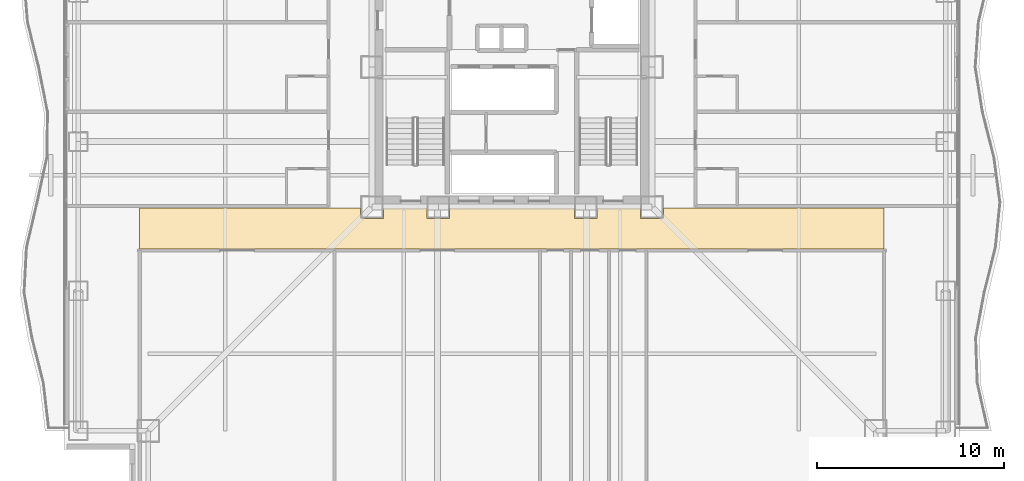
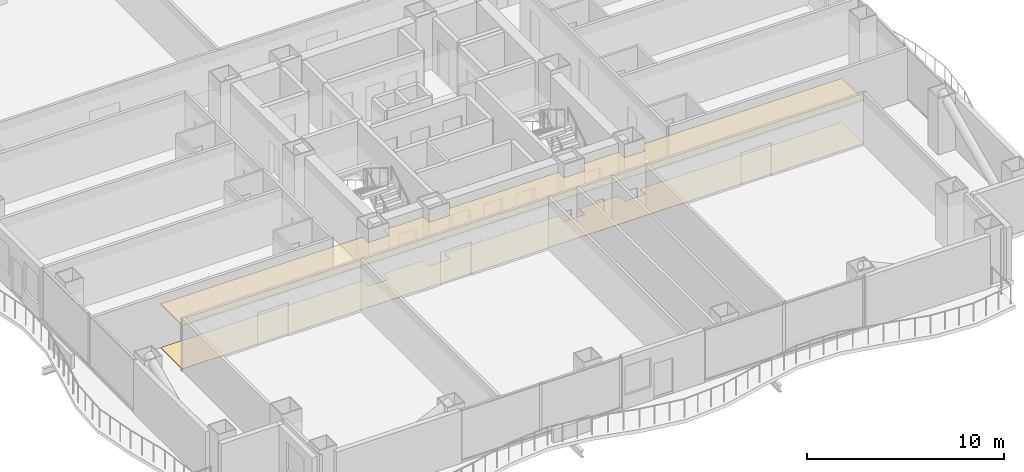
# One storey, part 20 of 24: 2 coverings.
"""IFC4 building model written with IfcOpenShell, lengths in metres."""

from ifc_helpers import new_model, si_unit, direction, frame, origin, place, context, subcontext, project, spatial, polyline, outline, extrude, material, layer, layer_set, type_object, element, save


model = new_model("IFC4")

# Units and contexts
model_context = context("Model", 3, precision=1e-05, world=origin(), true_north=direction((0.0, 1.0)))
body_context = subcontext(model_context, "Body", "Model", "MODEL_VIEW")
ifc_project = project(units=[si_unit("LENGTHUNIT", "METRE"), si_unit("AREAUNIT", "SQUARE_METRE"), si_unit("VOLUMEUNIT", "CUBIC_METRE"), si_unit("PLANEANGLEUNIT", "RADIAN"), si_unit("MASSUNIT", "GRAM", prefix="KILO")], contexts=[model_context])

# Site, building, storey
site_placement = place(None, origin())
site = spatial("IfcSite", under=ifc_project, at=site_placement, CompositionType="ELEMENT")
building_placement = place(site_placement, origin())
building = spatial("IfcBuilding", under=site, at=building_placement, Name="Trevonay Congress Spire", CompositionType="ELEMENT")
storey_placement = place(building_placement, frame((0.0, 0.0, 55.0)))
storey = spatial("IfcBuildingStorey", under=building, at=storey_placement, Name="L13", CompositionType="ELEMENT", Elevation=55.0)

# Coverings
ifc_material_1 = material(Name="Acoustic Mineral Fibre Board", Category="gypsum")
ifc_layer_1 = layer(ifc_material_1, 0.02490234375, Name="Acoustic Mineral Fibre Board")
ifc_layer_set_1 = layer_set([ifc_layer_1], Name="Acoustic Mineral Fibre Board")
covering_type_1 = type_object("IfcCoveringType", Name="COV-CEIL-ACOUSTIC", PredefinedType="CEILING", material=ifc_layer_set_1)
covering_1_placement = place(storey_placement, frame((0.0, 0.0, 2.699951171875)))
element("IfcCovering", 1, at=covering_1_placement, inside=storey, type_object=covering_type_1, Name="L13 Hotel Floor Corridor South acoustic suspended ceiling", PredefinedType="CEILING", context=body_context, shape_type="SweptSolid", body=[
    extrude(outline(polyline([(19.949951171875, -7.550048828125), (19.949951171875, -9.75), (-19.949951171875, -9.75), (-19.949951171875, -7.550048828125), (-8.110107421875, -7.550048828125), (-8.110107421875, -8.110107421875), (-6.889892578125, -8.110107421875), (-6.889892578125, -7.550048828125), (-4.56005859375, -7.550048828125), (-4.56005859375, -8.110107421875), (-3.340087890625, -8.110107421875), (-3.340087890625, -7.550048828125), (3.340087890625, -7.550048828125), (3.340087890625, -8.110107421875), (4.56005859375, -8.110107421875), (4.56005859375, -7.550048828125), (6.889892578125, -7.550048828125), (6.889892578125, -8.110107421875), (8.110107421875, -8.110107421875), (8.110107421875, -7.550048828125), (19.949951171875, -7.550048828125)])), origin(), (0.0, 0.0, 1.0), 0.025146484375),
])
ifc_material_2 = material(Name="Polished Granite Floor Tile", Category="masonry")
ifc_layer_2 = layer(ifc_material_2, 0.02001953125, Name="Polished Granite Floor Tile")
ifc_layer_set_2 = layer_set([ifc_layer_2], Name="Polished Granite Floor Tile")
covering_type_2 = type_object("IfcCoveringType", Name="COV-FLOOR-STONE", PredefinedType="FLOORING", material=ifc_layer_set_2)
covering_2_placement = place(storey_placement, origin())
element("IfcCovering", 2, at=covering_2_placement, inside=storey, type_object=covering_type_2, Name="L13 Hotel Floor Corridor South floor finish", PredefinedType="FLOORING", context=body_context, shape_type="SweptSolid", body=[
    extrude(outline(polyline([(19.949951171875, -7.550048828125), (19.949951171875, -9.75), (-19.949951171875, -9.75), (-19.949951171875, -7.550048828125), (-8.110107421875, -7.550048828125), (-8.110107421875, -8.110107421875), (-6.889892578125, -8.110107421875), (-6.889892578125, -7.550048828125), (-4.56005859375, -7.550048828125), (-4.56005859375, -8.110107421875), (-3.340087890625, -8.110107421875), (-3.340087890625, -7.550048828125), (3.340087890625, -7.550048828125), (3.340087890625, -8.110107421875), (4.56005859375, -8.110107421875), (4.56005859375, -7.550048828125), (6.889892578125, -7.550048828125), (6.889892578125, -8.110107421875), (8.110107421875, -8.110107421875), (8.110107421875, -7.550048828125), (19.949951171875, -7.550048828125)])), origin(), (0.0, 0.0, 1.0), 0.02001953125),
])

save(model, "model.ifc")
